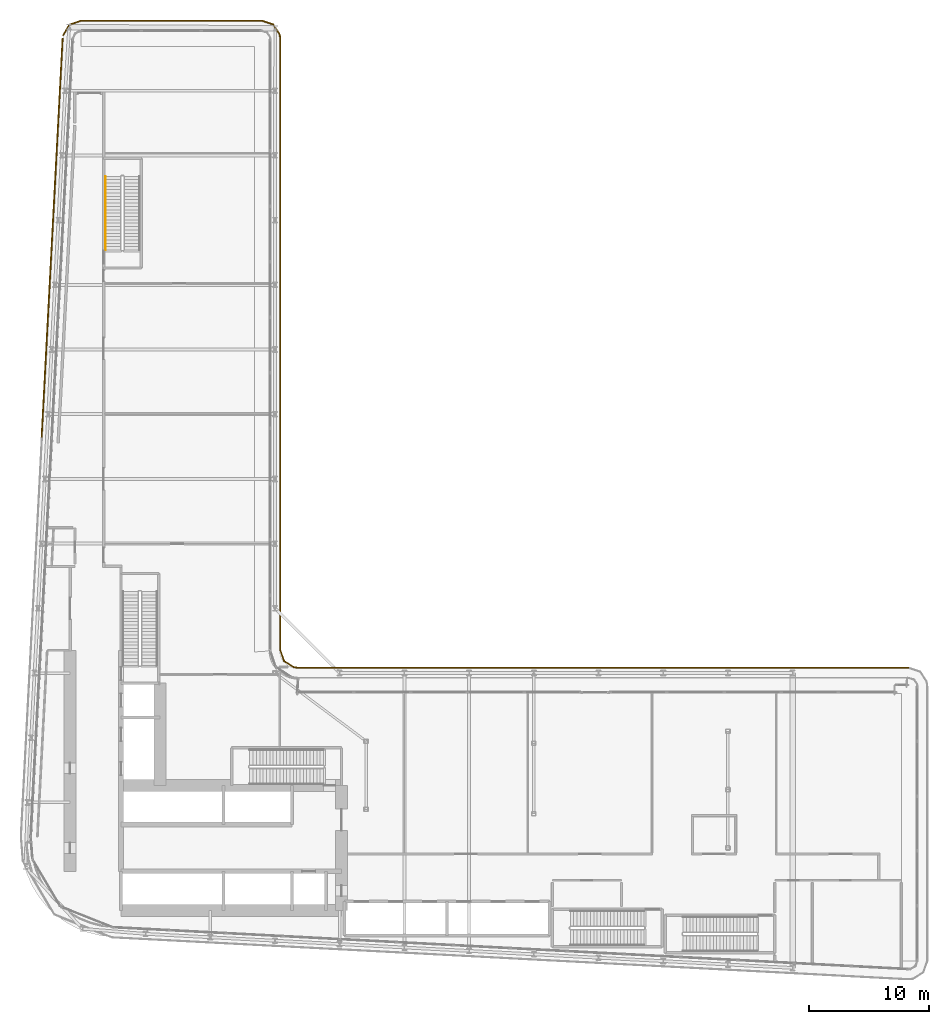
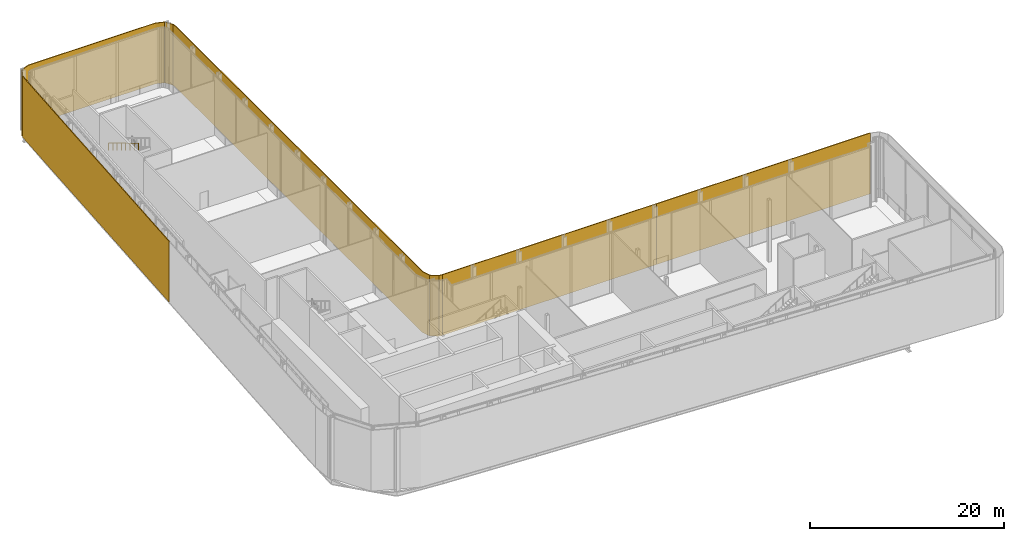
# One storey, part 34 of 36: 4 shading devices, 1 railing.
"""IFC4 building model written with IfcOpenShell, lengths in metres."""

from ifc_helpers import new_model, si_unit, direction, frame, origin, origin_2d, place, context, subcontext, project, spatial, polyline, rectangle, circle, outline, extrude, material, layer, layer_set, type_object, element, save


model = new_model("IFC4")

# Units and contexts
model_context = context("Model", 3, precision=1e-05, world=origin(), true_north=direction((0.0, 1.0)))
body_context = subcontext(model_context, "Body", "Model", "MODEL_VIEW")
ifc_project = project(units=[si_unit("LENGTHUNIT", "METRE"), si_unit("AREAUNIT", "SQUARE_METRE"), si_unit("VOLUMEUNIT", "CUBIC_METRE"), si_unit("PLANEANGLEUNIT", "RADIAN"), si_unit("MASSUNIT", "GRAM", prefix="KILO")], contexts=[model_context])

# Site, building, storey
site_placement = place(None, origin())
site = spatial("IfcSite", under=ifc_project, at=site_placement, CompositionType="ELEMENT")
building_placement = place(site_placement, origin())
building = spatial("IfcBuilding", under=site, at=building_placement, Name="Kheshtan School and Residences Tower", CompositionType="ELEMENT")
storey_placement = place(building_placement, frame((0.0, 0.0, 81.199951171875)))
storey = spatial("IfcBuildingStorey", under=building, at=storey_placement, Name="L19", CompositionType="ELEMENT", Elevation=81.199951171875)

# Shading devices
ifc_material_1 = material(Name="Terracotta baguette, extruded ceramic", Category="masonry")
ifc_layer_1 = layer(ifc_material_1, 0.10009765625)
ifc_layer_set_1 = layer_set([ifc_layer_1], Name="Ledge screen, terracotta baguettes")
shading_device_type_1 = type_object("IfcShadingDeviceType", Name="Ledge screen, terracotta baguettes", PredefinedType="USERDEFINED", material=ifc_layer_set_1)
shading_device_1_placement = place(storey_placement, origin())
element("IfcShadingDevice", 1, at=shading_device_1_placement, inside=storey, type_object=shading_device_type_1, Name="Screen L19 1", ObjectType="BAGUETTE", PredefinedType="USERDEFINED", context=body_context, shape_type="SweptSolid", body=[
    extrude(outline(polyline([(29.949951171875, 98.783935546875), (30.468017578125, 99.656982421875), (31.423095703125, 100.0), (46.5, 100.0), (47.4130859375, 99.68994140625), (47.948974609375, 98.887939453125), (48.0, 98.5), (48.0, 47.5), (48.31005859375, 46.5869140625), (49.112060546875, 46.051025390625), (49.5, 46.0), (49.512939453125, 46.09912109375), (49.14794921875, 46.14697265625), (48.39404296875, 46.65087890625), (48.10009765625, 47.51708984375), (48.10009765625, 98.507080078125), (48.044921875, 98.924072265625), (47.47705078125, 99.77392578125), (46.51708984375, 100.10009765625), (31.406005859375, 100.10009765625), (30.39990234375, 99.739013671875), (29.864013671875, 98.8349609375), (29.949951171875, 98.783935546875)])), origin(), (0.0, 0.0, 1.0), 7.650146484375),
])
shading_device_2_placement = place(storey_placement, frame((28.9990234375, 81.93408203125, 0.0), z_axis=(0.0, 0.0, 1.0), x_axis=(0.052562536748, 0.998617634398, 0.0)))
element("IfcShadingDevice", 2, at=shading_device_2_placement, inside=storey, type_object=shading_device_type_1, Name="Screen L19 7", ObjectType="BAGUETTE", PredefinedType="USERDEFINED", context=body_context, shape_type="SweptSolid", body=[
    extrude(rectangle(XDim=33.341064453125, YDim=0.10009765625, at=origin_2d()), origin(), (0.0, 0.0, 1.0), 7.64990234375),
])
ifc_material_2 = material(Name="Terracotta lattice, extruded ceramic", Category="masonry")
ifc_layer_2 = layer(ifc_material_2, 0.10009765625)
ifc_layer_set_2 = layer_set([ifc_layer_2], Name="Loggia screen, terracotta lattice")
shading_device_type_2 = type_object("IfcShadingDeviceType", Name="Loggia screen, terracotta lattice", PredefinedType="USERDEFINED", material=ifc_layer_set_2)
for number, where, z_axis, x_axis, name in (
    (3, (62.25, 46.050048828125, 0.0), (0.0, 0.0, 1.0), (1.0, 0.0, 0.0), "Screen L19 2"),
    (4, (87.75, 46.050048828125, 0.0), (0.0, 0.0, 1.0), (1.0, 0.0, 0.0), "Screen L19 3"),
):
    element("IfcShadingDevice", number, at=place(storey_placement, frame(where, z_axis=z_axis, x_axis=x_axis)), inside=storey, type_object=shading_device_type_2, Name=name, ObjectType="SCREEN", PredefinedType="USERDEFINED", context=body_context, shape_type="SweptSolid", body=[
        extrude(rectangle(XDim=25.5, YDim=0.10009765625, at=origin_2d()), origin(), (0.0, 0.0, 1.0), 7.64990234375),
    ])

# Railing
ifc_material_3 = material(Name="Stainless steel handrail", Category="steel")
railing_type = type_object("IfcRailingType", Name="Stair handrail 900", PredefinedType="HANDRAIL", material=ifc_material_3)
railing_placement = place(storey_placement, frame((33.449951171875, 87.06005859375, 4.069580078125)))
element("IfcRailing", 5, at=railing_placement, inside=storey, type_object=railing_type, Name="L19 ST3 stair handrail 2", PredefinedType="HANDRAIL", context=body_context, shape_type="SweptSolid", body=[
    extrude(circle(Radius=0.02392578125, at=origin_2d()), frame((0.0, 0.0, 0.8759765625), z_axis=(0.0, -0.855379917629, 0.518001154937), x_axis=(1.0, 0.0, 0.0)), (0.0, 0.0, 1.0), 7.20166015625),
    extrude(circle(Radius=0.02099609375, at=origin_2d()), origin(), (0.0, 0.0, 1.0), 0.851806640625),
    extrude(circle(Radius=0.02099609375, at=origin_2d()), frame((0.0, -0.880126953125, 0.532958984375)), (0.0, 0.0, 1.0), 0.851806640625),
    extrude(circle(Radius=0.02099609375, at=origin_2d()), frame((0.0, -1.760009765625, 1.06591796875)), (0.0, 0.0, 1.0), 0.851806640625),
    extrude(circle(Radius=0.02099609375, at=origin_2d()), frame((0.0, -2.64013671875, 1.598876953125)), (0.0, 0.0, 1.0), 0.851806640625),
    extrude(circle(Radius=0.02099609375, at=origin_2d()), frame((0.0, -3.52001953125, 2.131591796875)), (0.0, 0.0, 1.0), 0.851806640625),
    extrude(circle(Radius=0.02099609375, at=origin_2d()), frame((0.0, -4.400146484375, 2.66455078125)), (0.0, 0.0, 1.0), 0.851806640625),
    extrude(circle(Radius=0.02099609375, at=origin_2d()), frame((0.0, -5.280029296875, 3.197509765625)), (0.0, 0.0, 1.0), 0.851806640625),
    extrude(circle(Radius=0.02099609375, at=origin_2d()), frame((0.0, -6.16015625, 3.73046875)), (0.0, 0.0, 1.0), 0.851806640625),
])

save(model, "model.ifc")
